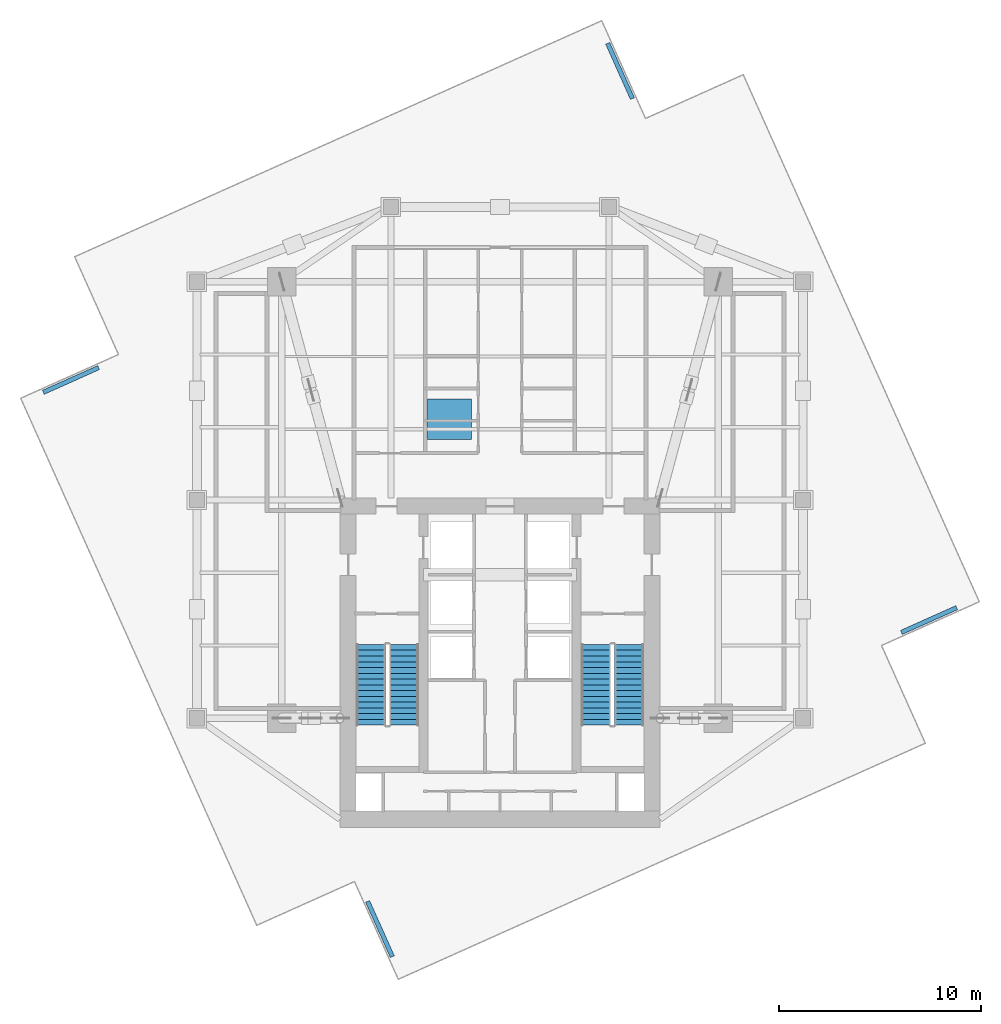
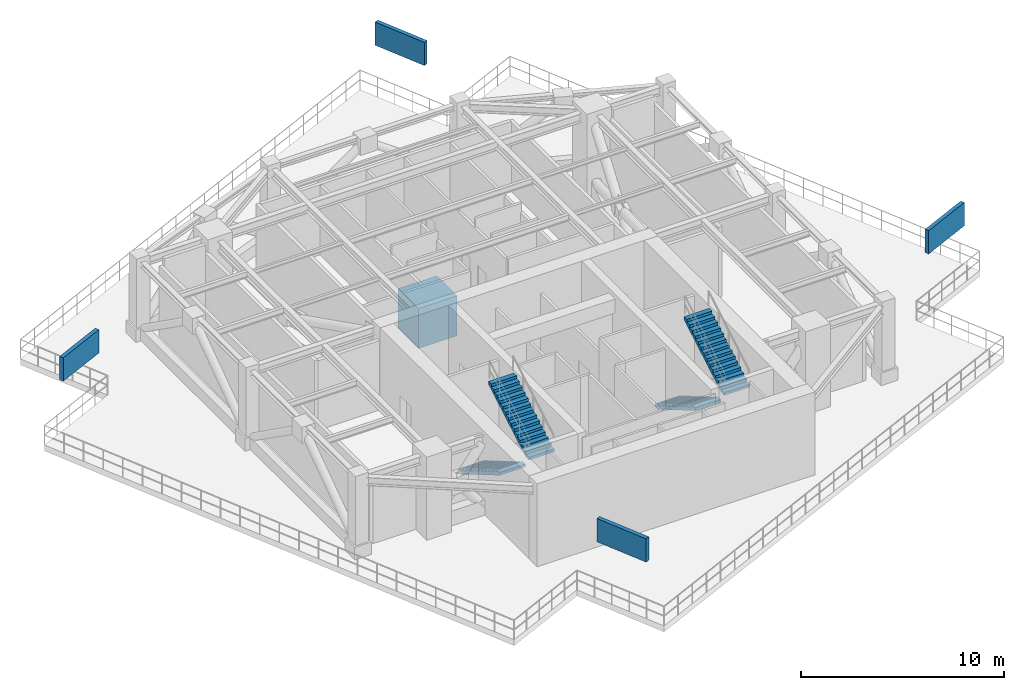
# One storey, part 5 of 8: 5 discrete accessories, 4 stair flights, 2 elements without a shape of their own.
"""IFC4 building model written with IfcOpenShell, lengths in metres."""

from ifc_helpers import new_model, si_unit, direction, frame, origin, origin_2d, place, context, subcontext, project, spatial, polyline, rectangle, outline, extrude, source, transform, mapped, material, type_object, type_shapes, element, aggregate, save


model = new_model("IFC4")

# Units and contexts
model_context = context("Model", 3, precision=1e-05, world=origin(), true_north=direction((0.0, 1.0)))
body_context = subcontext(model_context, "Body", "Model", "MODEL_VIEW")
ifc_project = project(units=[si_unit("LENGTHUNIT", "METRE"), si_unit("AREAUNIT", "SQUARE_METRE"), si_unit("VOLUMEUNIT", "CUBIC_METRE"), si_unit("PLANEANGLEUNIT", "RADIAN"), si_unit("MASSUNIT", "GRAM", prefix="KILO")], contexts=[model_context])

# Site, building, storey
site_placement = place(None, origin())
site = spatial("IfcSite", under=ifc_project, at=site_placement, CompositionType="ELEMENT")
building_placement = place(site_placement, origin())
building = spatial("IfcBuilding", under=site, at=building_placement, Name="Krantzveldt Concourse Tower", CompositionType="ELEMENT")
storey_placement = place(building_placement, frame((0.0, 0.0, 318.75)))
storey = spatial("IfcBuildingStorey", under=building, at=storey_placement, Name="L78", CompositionType="ELEMENT", Elevation=318.75)

# Stair, stair flights
ifc_material_1 = material(Name="Precast concrete C40/50", Category="concrete")
stair_type = type_object("IfcStairType", Name="STR-CORE-DOGLEG", PredefinedType="HALF_TURN_STAIR", material=ifc_material_1)
stair_1_placement = place(storey_placement, origin())
stair_1 = element("IfcStair", 1, at=stair_1_placement, inside=storey, type_object=stair_type, Name="L78 Protected Escape Stair ST-1", PredefinedType="HALF_TURN_STAIR")
stair_flight_type = type_object("IfcStairFlightType", Name="STF-CORE-1450", PredefinedType="STRAIGHT", material=ifc_material_1)
stair_flight_1_placement = place(storey_placement, frame((29.60498046875, 19.550048828125, 0.0), z_axis=(0.0, 0.0, 1.0), x_axis=(0.0, -1.0, 0.0)))
stair_flight_1 = element("IfcStairFlight", 2, at=stair_flight_1_placement, type_object=stair_flight_type, Name="ST-1 flight 1", NumberOfRisers=15, NumberOfTreads=14, PredefinedType="STRAIGHT", RiserHeight=0.166666667, TreadLength=0.285, context=body_context, shape_type="SweptSolid", body=[
    extrude(outline(polyline([(0.0, 0.0), (0.0, 0.166748046875), (0.284912109375, 0.166748046875), (0.284912109375, 0.333251953125), (0.570068359375, 0.333251953125), (0.570068359375, 0.5), (0.85498046875, 0.5), (0.85498046875, 0.666748046875), (1.139892578125, 0.666748046875), (1.139892578125, 0.833251953125), (1.425048828125, 0.833251953125), (1.425048828125, 1.0), (1.7099609375, 1.0), (1.7099609375, 1.166748046875), (1.9951171875, 1.166748046875), (1.9951171875, 1.333251953125), (2.280029296875, 1.333251953125), (2.280029296875, 1.5), (2.56494140625, 1.5), (2.56494140625, 1.666748046875), (2.85009765625, 1.666748046875), (2.85009765625, 1.833251953125), (3.135009765625, 1.833251953125), (3.135009765625, 2.0), (3.419921875, 2.0), (3.419921875, 2.166748046875), (3.705078125, 2.166748046875), (3.705078125, 2.333251953125), (3.989990234375, 2.333251953125), (3.989990234375, 2.5), (3.989990234375, 2.15966796875), (0.296875, 0.0), (0.0, 0.0)])), frame((0.0, 0.72509765625, 0.0), z_axis=(0.0, -1.0, 0.0), x_axis=(1.0, 0.0, 0.0)), (0.0, 0.0, 1.0), 1.449951171875),
])
stair_flight_2_placement = place(storey_placement, frame((31.2548828125, 15.56005859375, 2.5), z_axis=(0.0, 0.0, 1.0), x_axis=(0.0, 1.0, 0.0)))
stair_flight_2 = element("IfcStairFlight", 3, at=stair_flight_2_placement, type_object=stair_flight_type, Name="ST-1 flight 2", NumberOfRisers=15, NumberOfTreads=14, PredefinedType="STRAIGHT", RiserHeight=0.166666667, TreadLength=0.285, context=body_context, shape_type="SweptSolid", body=[
    extrude(outline(polyline([(0.0, 0.0), (0.0, 0.166748046875), (0.284912109375, 0.166748046875), (0.284912109375, 0.333251953125), (0.570068359375, 0.333251953125), (0.570068359375, 0.5), (0.85498046875, 0.5), (0.85498046875, 0.666748046875), (1.139892578125, 0.666748046875), (1.139892578125, 0.833251953125), (1.425048828125, 0.833251953125), (1.425048828125, 1.0), (1.7099609375, 1.0), (1.7099609375, 1.166748046875), (1.9951171875, 1.166748046875), (1.9951171875, 1.333251953125), (2.280029296875, 1.333251953125), (2.280029296875, 1.5), (2.56494140625, 1.5), (2.56494140625, 1.666748046875), (2.85009765625, 1.666748046875), (2.85009765625, 1.833251953125), (3.135009765625, 1.833251953125), (3.135009765625, 2.0), (3.419921875, 2.0), (3.419921875, 2.166748046875), (3.705078125, 2.166748046875), (3.705078125, 2.333251953125), (3.989990234375, 2.333251953125), (3.989990234375, 2.5), (3.989990234375, 2.15966796875), (0.296875, 0.0), (0.0, 0.0)])), frame((0.0, 0.72509765625, 0.0), z_axis=(0.0, -1.0, 0.0), x_axis=(1.0, 0.0, 0.0)), (0.0, 0.0, 1.0), 1.449951171875),
])
aggregate(stair_1, [stair_flight_1, stair_flight_2])

stair_2_placement = place(storey_placement, origin())
stair_2 = element("IfcStair", 4, at=stair_2_placement, inside=storey, type_object=stair_type, Name="L78 Protected Escape Stair ST-2", PredefinedType="HALF_TURN_STAIR")
stair_flight_3_placement = place(storey_placement, frame((40.7451171875, 19.550048828125, 0.0), z_axis=(0.0, 0.0, 1.0), x_axis=(0.0, -1.0, 0.0)))
stair_flight_3 = element("IfcStairFlight", 5, at=stair_flight_3_placement, type_object=stair_flight_type, Name="ST-2 flight 1", NumberOfRisers=15, NumberOfTreads=14, PredefinedType="STRAIGHT", RiserHeight=0.166666667, TreadLength=0.285, context=body_context, shape_type="SweptSolid", body=[
    extrude(outline(polyline([(0.0, 0.0), (0.0, 0.166748046875), (0.284912109375, 0.166748046875), (0.284912109375, 0.333251953125), (0.570068359375, 0.333251953125), (0.570068359375, 0.5), (0.85498046875, 0.5), (0.85498046875, 0.666748046875), (1.139892578125, 0.666748046875), (1.139892578125, 0.833251953125), (1.425048828125, 0.833251953125), (1.425048828125, 1.0), (1.7099609375, 1.0), (1.7099609375, 1.166748046875), (1.9951171875, 1.166748046875), (1.9951171875, 1.333251953125), (2.280029296875, 1.333251953125), (2.280029296875, 1.5), (2.56494140625, 1.5), (2.56494140625, 1.666748046875), (2.85009765625, 1.666748046875), (2.85009765625, 1.833251953125), (3.135009765625, 1.833251953125), (3.135009765625, 2.0), (3.419921875, 2.0), (3.419921875, 2.166748046875), (3.705078125, 2.166748046875), (3.705078125, 2.333251953125), (3.989990234375, 2.333251953125), (3.989990234375, 2.5), (3.989990234375, 2.15966796875), (0.296875, 0.0), (0.0, 0.0)])), frame((0.0, 0.72509765625, 0.0), z_axis=(0.0, -1.0, 0.0), x_axis=(1.0, 0.0, 0.0)), (0.0, 0.0, 1.0), 1.449951171875),
])
stair_flight_4_placement = place(storey_placement, frame((42.39501953125, 15.56005859375, 2.5), z_axis=(0.0, 0.0, 1.0), x_axis=(0.0, 1.0, 0.0)))
stair_flight_4 = element("IfcStairFlight", 6, at=stair_flight_4_placement, type_object=stair_flight_type, Name="ST-2 flight 2", NumberOfRisers=15, NumberOfTreads=14, PredefinedType="STRAIGHT", RiserHeight=0.166666667, TreadLength=0.285, context=body_context, shape_type="SweptSolid", body=[
    extrude(outline(polyline([(0.0, 0.0), (0.0, 0.166748046875), (0.284912109375, 0.166748046875), (0.284912109375, 0.333251953125), (0.570068359375, 0.333251953125), (0.570068359375, 0.5), (0.85498046875, 0.5), (0.85498046875, 0.666748046875), (1.139892578125, 0.666748046875), (1.139892578125, 0.833251953125), (1.425048828125, 0.833251953125), (1.425048828125, 1.0), (1.7099609375, 1.0), (1.7099609375, 1.166748046875), (1.9951171875, 1.166748046875), (1.9951171875, 1.333251953125), (2.280029296875, 1.333251953125), (2.280029296875, 1.5), (2.56494140625, 1.5), (2.56494140625, 1.666748046875), (2.85009765625, 1.666748046875), (2.85009765625, 1.833251953125), (3.135009765625, 1.833251953125), (3.135009765625, 2.0), (3.419921875, 2.0), (3.419921875, 2.166748046875), (3.705078125, 2.166748046875), (3.705078125, 2.333251953125), (3.989990234375, 2.333251953125), (3.989990234375, 2.5), (3.989990234375, 2.15966796875), (0.296875, 0.0), (0.0, 0.0)])), frame((0.0, 0.72509765625, 0.0), z_axis=(0.0, -1.0, 0.0), x_axis=(1.0, 0.0, 0.0)), (0.0, 0.0, 1.0), 1.449951171875),
])
aggregate(stair_2, [stair_flight_3, stair_flight_4])

# Discrete accessories
ifc_material_2 = material(Name="Anodised aluminium 6063-T6", Category="aluminium")
discrete_accessory_type_1 = type_object("IfcDiscreteAccessoryType", Name="ACC-LOUVRE-BRZ", PredefinedType="USERDEFINED", material=ifc_material_2)
shared_shape_1 = source(origin(), body_context, "Body", "SweptSolid", [
    extrude(rectangle(XDim=3.0, YDim=0.219970703125, at=origin_2d()), origin(), (0.0, 0.0, 1.0), 1.39990234375),
])
type_shapes(discrete_accessory_type_1, [shared_shape_1])
for number, where, z_axis, x_axis, name in (
    (7, (41.9404296875, 47.9326171875, 3.320068359375), (0.0, 0.0, 1.0), (-0.408728720547, 0.912655922569, 0.0), "LVR-L78-00"),
    (8, (14.767333984375, 32.640380859375, 3.320068359375), (0.0, 0.0, 1.0), (-0.912655922569, -0.408728720547, 0.0), "LVR-L78-03"),
    (9, (30.0595703125, 5.46728515625, 3.320068359375), (0.0, 0.0, 1.0), (0.408728720547, -0.912655922569, 0.0), "LVR-L78-06"),
    (10, (57.232666015625, 20.759521484375, 3.320068359375), (0.0, 0.0, 1.0), (0.912655922569, 0.408728720547, 0.0), "LVR-L78-09"),
):
    element("IfcDiscreteAccessory", number, at=place(storey_placement, frame(where, z_axis=z_axis, x_axis=x_axis)), inside=storey, type_object=discrete_accessory_type_1, Name=name, ObjectType="ACOUSTIC LOUVRE", PredefinedType="USERDEFINED", context=body_context, shape_type="MappedRepresentation", body=[
        mapped(shared_shape_1, transform((0.0, 0.0, 0.0), x_axis=(1.0, 0.0, 0.0), y_axis=(0.0, 1.0, 0.0), z_axis=(0.0, 0.0, 1.0), scale=1.0)),
    ])
ifc_material_3 = material(Name="Galvanised steel", Category="steel")
discrete_accessory_type_2 = type_object("IfcDiscreteAccessoryType", Name="EQ-CHILLER-SKID", PredefinedType="USERDEFINED", material=ifc_material_3)
shared_shape_2 = source(origin(), body_context, "Body", "SweptSolid", [
    extrude(rectangle(XDim=2.199951171875, YDim=2.0, at=origin_2d()), origin(), (0.0, 0.0, 1.0), 2.39990234375),
])
type_shapes(discrete_accessory_type_2, [shared_shape_2])
discrete_accessory_placement = place(storey_placement, frame((33.5, 30.699951171875, 0.0), z_axis=(0.0, 0.0, 1.0), x_axis=(1.0, 0.0, 0.0)))
element("IfcDiscreteAccessory", 11, at=discrete_accessory_placement, inside=storey, type_object=discrete_accessory_type_2, Name="EQ-L78-CHL1", ObjectType="CHILLER SKID", PredefinedType="USERDEFINED", context=body_context, shape_type="MappedRepresentation", body=[
    mapped(shared_shape_2, transform((0.0, 0.0, 0.0), x_axis=(1.0, 0.0, 0.0), y_axis=(0.0, 1.0, 0.0), z_axis=(0.0, 0.0, 1.0), scale=1.0)),
])

save(model, "model.ifc")
